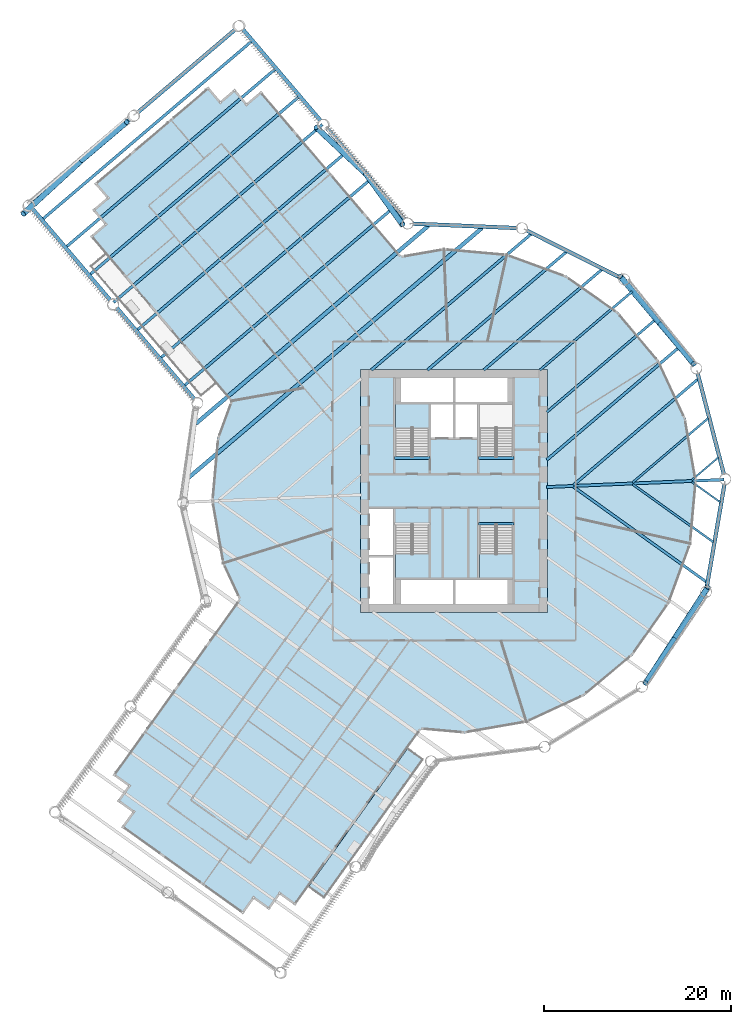
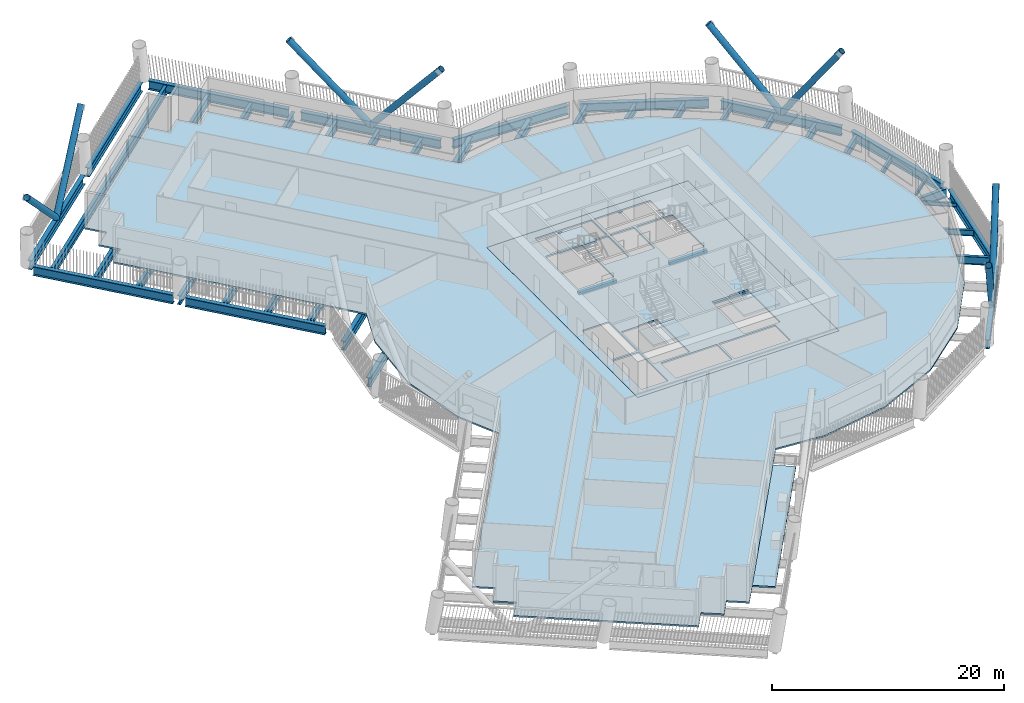
# One storey, part 2 of 21: 37 beams, 8 members, 6 slabs, 3 elements without a shape of their own.
"""IFC4 building model written with IfcOpenShell, lengths in metres."""

from ifc_helpers import new_model, si_unit, direction, frame, origin, origin_2d, place, context, subcontext, project, spatial, polyline, rectangle, hollow_circle, i_section, outline, extrude, material, layer, layer_set, material_profile, profile_set, type_object, element, aggregate, save


model = new_model("IFC4")

# Units and contexts
model_context = context("Model", 3, precision=1e-05, world=origin(), true_north=direction((0.0, 1.0)))
body_context = subcontext(model_context, "Body", "Model", "MODEL_VIEW")
ifc_project = project(units=[si_unit("LENGTHUNIT", "METRE"), si_unit("AREAUNIT", "SQUARE_METRE"), si_unit("VOLUMEUNIT", "CUBIC_METRE"), si_unit("PLANEANGLEUNIT", "RADIAN"), si_unit("MASSUNIT", "GRAM", prefix="KILO")], contexts=[model_context])

# Site, building, storey
site_placement = place(None, origin())
site = spatial("IfcSite", under=ifc_project, at=site_placement, CompositionType="ELEMENT")
building_placement = place(site_placement, origin())
building = spatial("IfcBuilding", under=site, at=building_placement, Name="Tarsis Ring Headquarters", CompositionType="ELEMENT")
storey_placement = place(building_placement, frame((0.0, 0.0, 47.800048828125)))
storey = spatial("IfcBuildingStorey", under=building, at=storey_placement, Name="L09", CompositionType="ELEMENT", Elevation=47.800048828125)

# Beams
ifc_material_1 = material(Name="Structural steel S355", Category="steel")
ifc_material_profile_1 = material_profile(ifc_material_1, i_section(OverallWidth=0.177734375, OverallDepth=0.406494140625, WebThickness=0.0078125, FlangeThickness=0.0126953125, at=origin_2d()), Name="W16x40")
ifc_profile_set_1 = profile_set([ifc_material_profile_1], Name="Structural steel S355")
beam_type_1 = type_object("IfcBeamType", Name="FB Floor beam W16x40", PredefinedType="JOIST", material=ifc_profile_set_1)
for number, where, z_axis, x_axis, name in (
    (1, (25.439697265625, 0.97265625, -0.36328125), (0.81312904071, -0.582083467515, 0.0), (0.582083467515, 0.81312904071, 0.0), "Floor beam FB1"),
    (2, (28.28125, 3.58447265625, -0.36328125), (-0.761531852242, -0.648127485932, 0.0), (0.648127485932, -0.761531852242, 0.0), "Floor beam FB1"),
):
    element("IfcBeam", number, at=place(storey_placement, frame(where, z_axis=z_axis, x_axis=x_axis)), inside=storey, type_object=beam_type_1, Name=name, PredefinedType="JOIST", context=body_context, shape_type="SweptSolid", body=[
        extrude(i_section(OverallWidth=0.177734375, OverallDepth=0.406494140625, WebThickness=0.0078125, FlangeThickness=0.0126953125, at=origin_2d()), origin(), (0.0, 0.0, 1.0), 3.74169921875),
    ])
ifc_material_profile_2 = material_profile(ifc_material_1, i_section(OverallWidth=0.228271484375, OverallDepth=0.607177734375, WebThickness=0.01123046875, FlangeThickness=0.017333984375, at=origin_2d()), Name="W24x76")
ifc_profile_set_2 = profile_set([ifc_material_profile_2], Name="Structural steel S355")
beam_type_2 = type_object("IfcBeamType", Name="FB Floor beam W24x76", PredefinedType="JOIST", material=ifc_profile_set_2)
beam_1_placement = place(storey_placement, frame((19.110595703125, 0.70751953125, -0.463623046875), z_axis=(0.81310398808, -0.582118462659, 0.0), x_axis=(0.582118462659, 0.81310398808, 0.0)))
element("IfcBeam", 3, at=beam_1_placement, inside=storey, type_object=beam_type_2, Name="Floor beam FB4", PredefinedType="JOIST", context=body_context, shape_type="SweptSolid", body=[
    extrude(i_section(OverallWidth=0.228271484375, OverallDepth=0.607177734375, WebThickness=0.01123046875, FlangeThickness=0.017333984375, at=origin_2d()), origin(), (0.0, 0.0, 1.0), 10.621337890625),
])
beam_2_placement = place(storey_placement, frame((27.191162109375, 7.77783203125, -0.463623046875), z_axis=(-0.761536493015, -0.648122033113, 0.0), x_axis=(0.648122033113, -0.761536493015, 0.0)))
element("IfcBeam", 4, at=beam_2_placement, inside=storey, type_object=beam_type_2, Name="Floor beam FB4", PredefinedType="JOIST", context=body_context, shape_type="SweptSolid", body=[
    extrude(i_section(OverallWidth=0.228271484375, OverallDepth=0.607177734375, WebThickness=0.01123046875, FlangeThickness=0.017333984375, at=origin_2d()), origin(), (0.0, 0.0, 1.0), 10.62109375),
])
ifc_material_profile_3 = material_profile(ifc_material_1, i_section(OverallWidth=0.2529296875, OverallDepth=0.67822265625, WebThickness=0.01171875, FlangeThickness=0.016357421875, at=origin_2d()), Name="W27x84")
ifc_profile_set_3 = profile_set([ifc_material_profile_3], Name="Structural steel S355")
beam_type_3 = type_object("IfcBeamType", Name="FB Floor beam W27x84", PredefinedType="JOIST", material=ifc_profile_set_3)
beam_3_placement = place(storey_placement, frame((19.095458984375, 21.372802734375, -0.499267578125), z_axis=(-0.761539389696, -0.648118629528, 0.0), x_axis=(0.648118629528, -0.761539389696, 0.0)))
element("IfcBeam", 5, at=beam_3_placement, inside=storey, type_object=beam_type_3, Name="Floor beam FB5", PredefinedType="JOIST", context=body_context, shape_type="SweptSolid", body=[
    extrude(i_section(OverallWidth=0.2529296875, OverallDepth=0.67822265625, WebThickness=0.01171875, FlangeThickness=0.016357421875, at=origin_2d()), origin(), (0.0, 0.0, 1.0), 13.0185546875),
])
ifc_material_profile_4 = material_profile(ifc_material_1, i_section(OverallWidth=0.2666015625, OverallDepth=0.7568359375, WebThickness=0.013916015625, FlangeThickness=0.019287109375, at=origin_2d()), Name="W30x108")
ifc_profile_set_4 = profile_set([ifc_material_profile_4], Name="Structural steel S355")
beam_type_4 = type_object("IfcBeamType", Name="FB Floor beam W30x108", PredefinedType="JOIST", material=ifc_profile_set_4)
beam_4_placement = place(storey_placement, frame((21.546142578125, 18.337158203125, -0.53857421875), z_axis=(-0.761538549736, -0.64811961648, 0.0), x_axis=(0.64811961648, -0.761538549736, 0.0)))
element("IfcBeam", 6, at=beam_4_placement, inside=storey, type_object=beam_type_4, Name="Floor beam FB6", PredefinedType="JOIST", context=body_context, shape_type="SweptSolid", body=[
    extrude(i_section(OverallWidth=0.2666015625, OverallDepth=0.7568359375, WebThickness=0.013916015625, FlangeThickness=0.019287109375, at=origin_2d()), origin(), (0.0, 0.0, 1.0), 15.26171875),
])
ifc_material_profile_5 = material_profile(ifc_material_1, i_section(OverallWidth=0.2919921875, OverallDepth=0.835693359375, WebThickness=0.013916015625, FlangeThickness=0.018798828125, at=origin_2d()), Name="W33x118")
ifc_profile_set_5 = profile_set([ifc_material_profile_5], Name="Structural steel S355")
beam_type_5 = type_object("IfcBeamType", Name="FB Floor beam W33x118", PredefinedType="JOIST", material=ifc_profile_set_5)
for number, where, z_axis, x_axis, name in (
    (7, (12.781494140625, 0.442138671875, -0.577880859375), (0.813105234606, -0.582116721505, 0.0), (0.582116721505, 0.813105234606, 0.0), "Floor beam FB7"),
    (8, (26.10107421875, 11.971435546875, -0.577880859375), (-0.761537485203, -0.6481208673, 0.0), (0.6481208673, -0.761537485203, 0.0), "Floor beam FB7"),
):
    element("IfcBeam", number, at=place(storey_placement, frame(where, z_axis=z_axis, x_axis=x_axis)), inside=storey, type_object=beam_type_5, Name=name, PredefinedType="JOIST", context=body_context, shape_type="SweptSolid", body=[
        extrude(i_section(OverallWidth=0.2919921875, OverallDepth=0.835693359375, WebThickness=0.013916015625, FlangeThickness=0.018798828125, at=origin_2d()), origin(), (0.0, 0.0, 1.0), 17.500732421875),
    ])
beam_5_placement = place(storey_placement, frame((15.80859375, 23.696533203125, -0.577880859375), z_axis=(-0.761541551454, -0.648116089454, 0.0), x_axis=(0.648116089454, -0.761541551454, 0.0)))
element("IfcBeam", 9, at=beam_5_placement, inside=storey, type_object=beam_type_5, Name="Floor beam FB7", PredefinedType="JOIST", context=body_context, shape_type="SweptSolid", body=[
    extrude(i_section(OverallWidth=0.2919921875, OverallDepth=0.835693359375, WebThickness=0.013916015625, FlangeThickness=0.018798828125, at=origin_2d()), origin(), (0.0, 0.0, 1.0), 16.603759765625),
])
ifc_material_profile_6 = material_profile(ifc_material_1, i_section(OverallWidth=0.3046875, OverallDepth=0.904296875, WebThickness=0.01513671875, FlangeThickness=0.02001953125, at=origin_2d()), Name="W36x135")
ifc_profile_set_6 = profile_set([ifc_material_profile_6], Name="Structural steel S355")
beam_type_6 = type_object("IfcBeamType", Name="FB Floor beam W36x135", PredefinedType="JOIST", material=ifc_profile_set_6)
beam_6_placement = place(storey_placement, frame((23.996826171875, 15.3017578125, -0.612060546875), z_axis=(-0.761538557269, -0.648119607628, 0.0), x_axis=(0.648119607628, -0.761538557269, 0.0)))
element("IfcBeam", 10, at=beam_6_placement, inside=storey, type_object=beam_type_6, Name="Floor beam FB8", PredefinedType="JOIST", context=body_context, shape_type="SweptSolid", body=[
    extrude(i_section(OverallWidth=0.3046875, OverallDepth=0.904296875, WebThickness=0.01513671875, FlangeThickness=0.02001953125, at=origin_2d()), origin(), (0.0, 0.0, 1.0), 18.479736328125),
])
beam_7_placement = place(storey_placement, frame((12.029052734375, 25.60107421875, -0.612060546875), z_axis=(-0.761545555681, -0.648111384426, 0.0), x_axis=(0.648111384426, -0.761545555681, 0.0)))
element("IfcBeam", 11, at=beam_7_placement, inside=storey, type_object=beam_type_6, Name="Floor beam FB8", PredefinedType="JOIST", context=body_context, shape_type="SweptSolid", body=[
    extrude(i_section(OverallWidth=0.3046875, OverallDepth=0.904296875, WebThickness=0.01513671875, FlangeThickness=0.02001953125, at=origin_2d()), origin(), (0.0, 0.0, 1.0), 19.54248046875),
])
ifc_material_profile_7 = material_profile(ifc_material_1, i_section(OverallWidth=0.3046875, OverallDepth=0.91943359375, WebThickness=0.017333984375, FlangeThickness=0.02783203125, at=origin_2d()), Name="W36x170")
ifc_profile_set_7 = profile_set([ifc_material_profile_7], Name="Structural steel S355")
beam_type_7 = type_object("IfcBeamType", Name="FB Floor beam W36x170", PredefinedType="JOIST", material=ifc_profile_set_7)
beam_8_placement = place(storey_placement, frame((8.24951171875, 27.505615234375, -0.619873046875), z_axis=(-0.761543951423, -0.648113269461, 0.0), x_axis=(0.648113269461, -0.761543951423, 0.0)))
element("IfcBeam", 12, at=beam_8_placement, inside=storey, type_object=beam_type_7, Name="Floor beam FB9", PredefinedType="JOIST", context=body_context, shape_type="SweptSolid", body=[
    extrude(i_section(OverallWidth=0.3046875, OverallDepth=0.91943359375, WebThickness=0.017333984375, FlangeThickness=0.02783203125, at=origin_2d()), origin(), (0.0, 0.0, 1.0), 22.481201171875),
])
ifc_material_profile_8 = material_profile(ifc_material_1, i_section(OverallWidth=0.309814453125, OverallDepth=0.949951171875, WebThickness=0.0244140625, FlangeThickness=0.0439453125, at=origin_2d()), Name="W36x256")
ifc_profile_set_8 = profile_set([ifc_material_profile_8], Name="Structural steel S355")
beam_type_8 = type_object("IfcBeamType", Name="FB Floor beam W36x256", PredefinedType="JOIST", material=ifc_profile_set_8)
for number, where, z_axis, x_axis, name in (
    (13, (-6.50830078125, 30.3095703125, -0.635009765625), (-0.761538691481, -0.648119449929, 0.0), (0.648119449929, -0.761538691481, 0.0), "Floor beam FB11"),
    (14, (-9.035888671875, 33.279541015625, -0.635009765625), (-0.761538691481, -0.648119449929, 0.0), (0.648119449929, -0.761538691481, 0.0), "Floor beam FB11"),
    (15, (-11.563720703125, 36.24951171875, -0.635009765625), (-0.761535200369, -0.648123551955, 0.0), (0.648123551955, -0.761535200369, 0.0), "Floor beam FB11"),
    (16, (-14.09130859375, 39.219482421875, -0.635009765625), (-0.761538691481, -0.648119449929, 0.0), (0.648119449929, -0.761538691481, 0.0), "Floor beam FB11"),
    (17, (-16.618896484375, 42.189453125, -0.635009765625), (-0.761538691481, -0.648119449929, 0.0), (0.648119449929, -0.761538691481, 0.0), "Floor beam FB11"),
    (18, (-19.146728515625, 45.159423828125, -0.635009765625), (-0.761535200369, -0.648123551955, 0.0), (0.648123551955, -0.761535200369, 0.0), "Floor beam FB11"),
    (19, (-21.67431640625, 48.12939453125, -0.635009765625), (-0.761542793497, -0.648114630041, 0.0), (0.648114630041, -0.761542793497, 0.0), "Floor beam FB11"),
):
    element("IfcBeam", number, at=place(storey_placement, frame(where, z_axis=z_axis, x_axis=x_axis)), inside=storey, type_object=beam_type_8, Name=name, PredefinedType="JOIST", context=body_context, shape_type="SweptSolid", body=[
        extrude(i_section(OverallWidth=0.309814453125, OverallDepth=0.949951171875, WebThickness=0.0244140625, FlangeThickness=0.0439453125, at=origin_2d()), origin(), (0.0, 0.0, 1.0), 29.375732421875),
    ])
beam_type_9 = type_object("IfcBeamType", Name="FB Floor beam W36x256 spine", PredefinedType="BEAM", material=ifc_profile_set_8)
beam_9_placement = place(storey_placement, frame((28.90625, 1.21142578125, -0.635009765625), z_axis=(-0.999123281002, -0.041864894124, 0.0), x_axis=(0.041864894124, -0.999123281002, 0.0)))
element("IfcBeam", 20, at=beam_9_placement, inside=storey, type_object=beam_type_9, Name="Floor beam SB11", PredefinedType="BEAM", context=body_context, shape_type="SweptSolid", body=[
    extrude(i_section(OverallWidth=0.309814453125, OverallDepth=0.949951171875, WebThickness=0.0244140625, FlangeThickness=0.0439453125, at=origin_2d()), origin(), (0.0, 0.0, 1.0), 19.022705078125),
])
ifc_material_profile_9 = material_profile(ifc_material_1, i_section(OverallWidth=0.42431640625, OverallDepth=0.947509765625, WebThickness=0.02392578125, FlangeThickness=0.042724609375, at=origin_2d()), Name="W36x302")
ifc_profile_set_9 = profile_set([ifc_material_profile_9], Name="Structural steel S355")
beam_type_10 = type_object("IfcBeamType", Name="FB Floor beam W36x302", PredefinedType="JOIST", material=ifc_profile_set_9)
beam_10_placement = place(storey_placement, frame((2.989990234375, 28.15087890625, -0.6337890625), z_axis=(-0.761535669756, -0.648123000433, 0.0), x_axis=(0.648123000433, -0.761535669756, 0.0)))
element("IfcBeam", 21, at=beam_10_placement, inside=storey, type_object=beam_type_10, Name="Floor beam FB12", PredefinedType="JOIST", context=body_context, shape_type="SweptSolid", body=[
    extrude(i_section(OverallWidth=0.42431640625, OverallDepth=0.947509765625, WebThickness=0.02392578125, FlangeThickness=0.042724609375, at=origin_2d()), origin(), (0.0, 0.0, 1.0), 41.352783203125),
])
beam_11_placement = place(storey_placement, frame((-2.74462890625, 28.391357421875, -0.6337890625), z_axis=(-0.761540408805, -0.648117432073, 0.0), x_axis=(0.648117432073, -0.761540408805, 0.0)))
element("IfcBeam", 22, at=beam_11_placement, inside=storey, type_object=beam_type_10, Name="Floor beam FB12", PredefinedType="JOIST", context=body_context, shape_type="SweptSolid", body=[
    extrude(i_section(OverallWidth=0.42431640625, OverallDepth=0.947509765625, WebThickness=0.02392578125, FlangeThickness=0.042724609375, at=origin_2d()), origin(), (0.0, 0.0, 1.0), 32.704833984375),
])
ifc_material_2 = material(Name="Concrete C40/50", Category="concrete")
ifc_material_profile_10 = material_profile(ifc_material_2, rectangle(XDim=0.300048828125, YDim=0.300048828125, at=origin_2d()), Name="Stair head beam 300x300 C40/50")
ifc_profile_set_10 = profile_set([ifc_material_profile_10], Name="Concrete C40/50")
beam_type_11 = type_object("IfcBeamType", Name="Stair head beam 300x300 C40/50", PredefinedType="BEAM", material=ifc_profile_set_10)
for number, where, z_axis, x_axis, name in (
    (23, (-6.39990234375, 3.510009765625, -0.31005859375), (1.0, 0.0, 0.0), (0.0, 1.0, 0.0), "Stair head beam L09 Firefighting stair"),
    (24, (2.60009765625, 3.510009765625, -0.31005859375), (1.0, 0.0, 0.0), (0.0, 1.0, 0.0), "Stair head beam L09 Exit stair B"),
    (25, (2.60009765625, -3.510009765625, -0.31005859375), (1.0, 0.0, 0.0), (0.0, 1.0, 0.0), "Stair head beam L09 Exit stair D"),
):
    element("IfcBeam", number, at=place(storey_placement, frame(where, z_axis=z_axis, x_axis=x_axis)), inside=storey, type_object=beam_type_11, Name=name, PredefinedType="BEAM", context=body_context, shape_type="SweptSolid", body=[
        extrude(rectangle(XDim=0.300048828125, YDim=0.300048828125, at=origin_2d()), origin(), (0.0, 0.0, 1.0), 3.7998046875),
    ])

# Members
ifc_material_profile_11 = material_profile(ifc_material_1, hollow_circle(Radius=0.3046875, WallThickness=0.02490234375, at=origin_2d()), Name="CHS 610x25")
ifc_profile_set_11 = profile_set([ifc_material_profile_11], Name="Structural steel S355")
member_type = type_object("IfcMemberType", Name="XD X brace CHS 610x25", PredefinedType="BRACE", material=ifc_profile_set_11)
member_1_placement = place(storey_placement, frame((23.509521484375, -15.92529296875, 0.0), z_axis=(0.355127399997, 0.547572064503, 0.757660454258), x_axis=(-0.838999395789, 0.544132349586, 0.0)))
element("IfcMember", 26, at=member_1_placement, inside=storey, type_object=member_type, Name="X brace XD1", PredefinedType="BRACE", context=body_context, shape_type="SweptSolid", body=[
    extrude(hollow_circle(Radius=0.3046875, WallThickness=0.02490234375, at=origin_2d()), origin(), (0.0, 0.0, 1.0), 10.294921875),
])
member_2_placement = place(storey_placement, frame((23.509521484375, -15.92529296875, 0.0), z_axis=(-0.313713594643, -0.485865397922, 0.815793230934), x_axis=(0.840098060053, -0.5424345578, 0.0)))
element("IfcMember", 27, at=member_2_placement, inside=storey, type_object=member_type, Name="X brace XD1", PredefinedType="BRACE", context=body_context, shape_type="SweptSolid", body=[
    extrude(hollow_circle(Radius=0.3046875, WallThickness=0.02490234375, at=origin_2d()), origin(), (0.0, 0.0, 1.0), 9.561279296875),
])
member_3_placement = place(storey_placement, frame((22.094482421875, 17.836669921875, 0.0), z_axis=(-0.420053039724, 0.499519970007, 0.757651135671), x_axis=(-0.765360458799, -0.643601870808, 0.0)))
element("IfcMember", 28, at=member_3_placement, inside=storey, type_object=member_type, Name="X brace XD1", PredefinedType="BRACE", context=body_context, shape_type="SweptSolid", body=[
    extrude(hollow_circle(Radius=0.3046875, WallThickness=0.02490234375, at=origin_2d()), origin(), (0.0, 0.0, 1.0), 10.294921875),
])
member_4_placement = place(storey_placement, frame((22.094482421875, 17.836669921875, 0.0), z_axis=(0.373132703446, -0.44187103491, 0.815795301609), x_axis=(0.764032334026, 0.645177954182, 0.0)))
element("IfcMember", 29, at=member_4_placement, inside=storey, type_object=member_type, Name="X brace XD1", PredefinedType="BRACE", context=body_context, shape_type="SweptSolid", body=[
    extrude(hollow_circle(Radius=0.3046875, WallThickness=0.02490234375, at=origin_2d()), origin(), (0.0, 0.0, 1.0), 9.561279296875),
])
member_5_placement = place(storey_placement, frame((-9.4345703125, 33.920654296875, 0.0), z_axis=(-0.498328352708, 0.467428520895, 0.730191365836), x_axis=(-0.684132490298, -0.729357755645, 0.0)))
element("IfcMember", 30, at=member_5_placement, inside=storey, type_object=member_type, Name="X brace XD1", PredefinedType="BRACE", context=body_context, shape_type="SweptSolid", body=[
    extrude(hollow_circle(Radius=0.3046875, WallThickness=0.02490234375, at=origin_2d()), origin(), (0.0, 0.0, 1.0), 10.68212890625),
])
member_6_placement = place(storey_placement, frame((-9.4345703125, 33.920654296875, 0.0), z_axis=(0.380726046494, -0.526525897319, 0.760143510775), x_axis=(0.810345008266, 0.585953042127, 0.0)))
element("IfcMember", 31, at=member_6_placement, inside=storey, type_object=member_type, Name="X brace XD1", PredefinedType="BRACE", context=body_context, shape_type="SweptSolid", body=[
    extrude(hollow_circle(Radius=0.3046875, WallThickness=0.02490234375, at=origin_2d()), origin(), (0.0, 0.0, 1.0), 10.26123046875),
])
member_7_placement = place(storey_placement, frame((-39.856201171875, 35.4130859375, 0.0), z_axis=(-0.54290312778, -0.498612994167, 0.675752377647), x_axis=(0.676425965303, -0.736510633639, 0.0)))
element("IfcMember", 32, at=member_7_placement, inside=storey, type_object=member_type, Name="X brace XD1", PredefinedType="BRACE", context=body_context, shape_type="SweptSolid", body=[
    extrude(hollow_circle(Radius=0.3046875, WallThickness=0.02490234375, at=origin_2d()), origin(), (0.0, 0.0, 1.0), 11.542724609375),
])
member_8_placement = place(storey_placement, frame((-39.856201171875, 35.4130859375, 0.0), z_axis=(0.478983238333, 0.406127315537, 0.778225970378), x_axis=(-0.646715667384, 0.76273117516, 0.0)))
element("IfcMember", 33, at=member_8_placement, inside=storey, type_object=member_type, Name="X brace XD1", PredefinedType="BRACE", context=body_context, shape_type="SweptSolid", body=[
    extrude(hollow_circle(Radius=0.3046875, WallThickness=0.02490234375, at=origin_2d()), origin(), (0.0, 0.0, 1.0), 10.02294921875),
])

# Beams
beam_type_12 = type_object("IfcBeamType", Name="XG Ring girder W36x302", PredefinedType="BEAM", material=ifc_profile_set_9)
for number, where, z_axis, x_axis, name in (
    (34, (20.38232421875, -20.541748046875, -0.4736328125), (0.560833622606, 0.827928528168, 0.0), (-0.827928528168, 0.560833622606, 0.0), "Ring girder XG1"),
    (35, (27.037353515625, -10.31396484375, -0.4736328125), (0.169714830944, 0.985493214669, 0.0), (-0.985493214669, 0.169714830944, 0.0), "Ring girder XG1"),
    (36, (28.885009765625, 1.747314453125, -0.4736328125), (-0.251591198028, 0.967833595756, 0.0), (-0.967833595756, -0.251591198028, 0.0), "Ring girder XG1"),
):
    element("IfcBeam", number, at=place(storey_placement, frame(where, z_axis=z_axis, x_axis=x_axis)), inside=storey, type_object=beam_type_12, Name=name, PredefinedType="BEAM", context=body_context, shape_type="SweptSolid", body=[
        extrude(i_section(OverallWidth=0.42431640625, OverallDepth=0.947509765625, WebThickness=0.02392578125, FlangeThickness=0.042724609375, at=origin_2d()), origin(), (0.0, 0.0, 1.0), 11.151611328125),
    ])
for number, where, z_axis, x_axis, name in (
    (37, (25.5966796875, 13.498291015625, -0.4736328125), (-0.628146495192, 0.778095097387, 0.0), (-0.778095097387, -0.628146495192, 0.0), "Ring girder XG1"),
    (38, (17.75732421875, 22.848876953125, -0.4736328125), (-0.89302163934, 0.450013723869, 0.0), (-0.450013723869, -0.89302163934, 0.0), "Ring girder XG1"),
    (39, (6.760498046875, 28.136962890625, -0.4736328125), (-0.999121652756, 0.041903734845, 0.0), (-0.041903734845, -0.999121652756, 0.0), "Ring girder XG1"),
):
    element("IfcBeam", number, at=place(storey_placement, frame(where, z_axis=z_axis, x_axis=x_axis)), inside=storey, type_object=beam_type_12, Name=name, PredefinedType="BEAM", context=body_context, shape_type="SweptSolid", body=[
        extrude(i_section(OverallWidth=0.42431640625, OverallDepth=0.947509765625, WebThickness=0.02392578125, FlangeThickness=0.042724609375, at=origin_2d()), origin(), (0.0, 0.0, 1.0), 11.1513671875),
    ])
beam_12_placement = place(storey_placement, frame((-5.284912109375, 29.044921875, -0.4736328125), z_axis=(-0.648116512174, 0.761541191694, 0.0), x_axis=(-0.761541191694, -0.648116512174, 0.0)))
element("IfcBeam", 40, at=beam_12_placement, inside=storey, type_object=beam_type_12, Name="Ring girder XG1", PredefinedType="BEAM", context=body_context, shape_type="SweptSolid", body=[
    extrude(i_section(OverallWidth=0.42431640625, OverallDepth=0.947509765625, WebThickness=0.02392578125, FlangeThickness=0.042724609375, at=origin_2d()), origin(), (0.0, 0.0, 1.0), 12.804931640625),
])
beam_13_placement = place(storey_placement, frame((-14.295166015625, 39.632080078125, -0.4736328125), z_axis=(-0.648127569302, 0.761531781287, 0.0), x_axis=(-0.761531781287, -0.648127569302, 0.0)))
element("IfcBeam", 41, at=beam_13_placement, inside=storey, type_object=beam_type_12, Name="Ring girder XG1", PredefinedType="BEAM", context=body_context, shape_type="SweptSolid", body=[
    extrude(i_section(OverallWidth=0.42431640625, OverallDepth=0.947509765625, WebThickness=0.02392578125, FlangeThickness=0.042724609375, at=origin_2d()), origin(), (0.0, 0.0, 1.0), 12.80517578125),
])
for number, where, z_axis, x_axis, name in (
    (42, (-23.36767578125, 49.44580078125, -0.4736328125), (-0.761539576797, -0.648118409684, 0.0), (0.648118409684, -0.761539576797, 0.0), "Ring girder XG1"),
    (43, (-34.638427734375, 39.853759765625, -0.4736328125), (-0.761539576797, -0.648118409684, 0.0), (0.648118409684, -0.761539576797, 0.0), "Ring girder XG1"),
):
    element("IfcBeam", number, at=place(storey_placement, frame(where, z_axis=z_axis, x_axis=x_axis)), inside=storey, type_object=beam_type_12, Name=name, PredefinedType="BEAM", context=body_context, shape_type="SweptSolid", body=[
        extrude(i_section(OverallWidth=0.42431640625, OverallDepth=0.947509765625, WebThickness=0.02392578125, FlangeThickness=0.042724609375, at=origin_2d()), origin(), (0.0, 0.0, 1.0), 13.702880859375),
    ])
beam_14_placement = place(storey_placement, frame((-45.135986328125, 30.19921875, -0.4736328125), z_axis=(0.648127569302, -0.761531781287, 0.0), x_axis=(0.761531781287, 0.648127569302, 0.0)))
element("IfcBeam", 44, at=beam_14_placement, inside=storey, type_object=beam_type_12, Name="Ring girder XG1", PredefinedType="BEAM", context=body_context, shape_type="SweptSolid", body=[
    extrude(i_section(OverallWidth=0.42431640625, OverallDepth=0.947509765625, WebThickness=0.02392578125, FlangeThickness=0.042724609375, at=origin_2d()), origin(), (0.0, 0.0, 1.0), 12.80517578125),
])
beam_15_placement = place(storey_placement, frame((-36.12548828125, 19.612060546875, -0.4736328125), z_axis=(0.648116512174, -0.761541191694, 0.0), x_axis=(0.761541191694, 0.648116512174, 0.0)))
element("IfcBeam", 45, at=beam_15_placement, inside=storey, type_object=beam_type_12, Name="Ring girder XG1", PredefinedType="BEAM", context=body_context, shape_type="SweptSolid", body=[
    extrude(i_section(OverallWidth=0.42431640625, OverallDepth=0.947509765625, WebThickness=0.02392578125, FlangeThickness=0.042724609375, at=origin_2d()), origin(), (0.0, 0.0, 1.0), 12.804931640625),
])

# Slabs
ifc_layer_1 = layer(ifc_material_2, 0.159912109375)
ifc_layer_set_1 = layer_set([ifc_layer_1], Name="Balcony slab concrete C40/50")
slab_type_1 = type_object("IfcSlabType", Name="Balcony slab concrete C40/50", PredefinedType="FLOOR", material=ifc_layer_set_1)
slab_1_placement = place(storey_placement, frame((0.0, 0.0, -0.16015625)))
element("IfcSlab", 46, at=slab_1_placement, inside=storey, type_object=slab_type_1, Name="Balcony slab L09-16", PredefinedType="FLOOR", context=body_context, shape_type="SweptSolid", body=[
    extrude(outline(polyline([(-15.565185546875, -42.35546875), (-13.93896484375, -43.51953125), (-3.37255859375, -28.7607421875), (-4.998779296875, -27.596435546875), (-15.565185546875, -42.35546875)])), origin(), (0.0, 0.0, 1.0), 0.16015625),
])
ifc_layer_2 = layer(ifc_material_2, 0.159912109375)
ifc_layer_set_2 = layer_set([ifc_layer_2], Name="Core floor slab 160 C40/50")
slab_type_2 = type_object("IfcSlabType", Name="Core floor slab 160 C40/50", PredefinedType="FLOOR", material=ifc_layer_set_2)
slab_2_placement = place(storey_placement, frame((0.0, 0.0, -0.16015625)))
element("IfcSlab", 47, at=slab_2_placement, inside=storey, type_object=slab_type_2, Name="L09 core floor slab", PredefinedType="FLOOR", context=body_context, shape_type="SweptSolid", body=[
    extrude(outline(polyline([(-10.0, -13.0), (10.0, -13.0), (10.0, 13.0), (-10.0, 13.0), (-10.0, -13.0)]), holes=[polyline([(-2.5, 5.699951171875), (-0.10009765625, 5.699951171875), (-0.10009765625, 9.300048828125), (-2.5, 9.300048828125), (-2.5, 5.699951171875)]), polyline([(0.10009765625, 5.699951171875), (2.5, 5.699951171875), (2.5, 9.300048828125), (0.10009765625, 9.300048828125), (0.10009765625, 5.699951171875)]), polyline([(-9.10009765625, -12.10009765625), (-6.5, -12.10009765625), (-6.5, -7.10009765625), (-9.10009765625, -7.10009765625), (-9.10009765625, -12.10009765625)]), polyline([(-9.10009765625, -6.89990234375), (-6.5, -6.89990234375), (-6.5, -1.89990234375), (-9.10009765625, -1.89990234375), (-9.10009765625, -6.89990234375)]), polyline([(-5.699951171875, 9.5), (-0.10009765625, 9.5), (-0.10009765625, 12.10009765625), (-5.699951171875, 12.10009765625), (-5.699951171875, 9.5)]), polyline([(0.10009765625, 9.5), (5.699951171875, 9.5), (5.699951171875, 12.10009765625), (0.10009765625, 12.10009765625), (0.10009765625, 9.5)]), polyline([(-5.699951171875, -12.10009765625), (-0.10009765625, -12.10009765625), (-0.10009765625, -9.5), (-5.699951171875, -9.5), (-5.699951171875, -12.10009765625)]), polyline([(0.10009765625, -12.10009765625), (5.699951171875, -12.10009765625), (5.699951171875, -9.5), (0.10009765625, -9.5), (0.10009765625, -12.10009765625)]), polyline([(-2.699951171875, 3.760009765625), (-2.699951171875, 9.300048828125), (-6.300048828125, 9.300048828125), (-6.300048828125, 3.659912109375), (-4.4599609375, 3.659912109375), (-4.4599609375, 3.760009765625), (-2.699951171875, 3.760009765625)]), polyline([(6.300048828125, 3.760009765625), (6.300048828125, 9.300048828125), (2.699951171875, 9.300048828125), (2.699951171875, 3.659912109375), (4.5400390625, 3.659912109375), (4.5400390625, 3.760009765625), (6.300048828125, 3.760009765625)]), polyline([(-6.300048828125, -3.760009765625), (-6.300048828125, -9.300048828125), (-2.699951171875, -9.300048828125), (-2.699951171875, -3.659912109375), (-4.5400390625, -3.659912109375), (-4.5400390625, -3.760009765625), (-6.300048828125, -3.760009765625)]), polyline([(2.699951171875, -3.760009765625), (2.699951171875, -9.300048828125), (6.300048828125, -9.300048828125), (6.300048828125, -3.659912109375), (4.4599609375, -3.659912109375), (4.4599609375, -3.760009765625), (2.699951171875, -3.760009765625)])]), origin(), (0.0, 0.0, 1.0), 0.16015625),
])

# Stair, slab
ifc_material_3 = material(Name="Core stair 1760")
stair_type = type_object("IfcStairType", Name="Core stair 1760", PredefinedType="HALF_TURN_STAIR", material=ifc_material_3)
stair_1_placement = place(storey_placement, origin())
stair_1 = element("IfcStair", 48, at=stair_1_placement, inside=storey, type_object=stair_type, Name="L09 Firefighting stair", PredefinedType="HALF_TURN_STAIR")
ifc_layer_3 = layer(ifc_material_2, 0.199951171875)
ifc_layer_set_3 = layer_set([ifc_layer_3], Name="Core stair landing 200")
slab_type_3 = type_object("IfcSlabType", Name="Core stair landing 200", PredefinedType="LANDING", material=ifc_layer_set_3)
slab_3_placement = place(storey_placement, frame((0.0, 0.0, 1.75)))
slab_3 = element("IfcSlab", 49, at=slab_3_placement, type_object=slab_type_3, Name="Stair ST1 landing 1", PredefinedType="LANDING", context=body_context, shape_type="SweptSolid", body=[
    extrude(outline(polyline([(-2.699951171875, 6.739990234375), (-2.699951171875, 9.300048828125), (-6.300048828125, 9.300048828125), (-6.300048828125, 6.739990234375), (-2.699951171875, 6.739990234375)])), origin(), (0.0, 0.0, 1.0), 0.199951171875),
])
aggregate(stair_1, [slab_3])

stair_2_placement = place(storey_placement, origin())
stair_2 = element("IfcStair", 50, at=stair_2_placement, inside=storey, type_object=stair_type, Name="L09 Exit stair C", PredefinedType="HALF_TURN_STAIR")
slab_4_placement = place(storey_placement, frame((0.0, 0.0, 1.75)))
slab_4 = element("IfcSlab", 51, at=slab_4_placement, type_object=slab_type_3, Name="Stair ST3 landing 1", PredefinedType="LANDING", context=body_context, shape_type="SweptSolid", body=[
    extrude(outline(polyline([(-6.300048828125, -6.739990234375), (-6.300048828125, -9.300048828125), (-2.699951171875, -9.300048828125), (-2.699951171875, -6.739990234375), (-6.300048828125, -6.739990234375)])), origin(), (0.0, 0.0, 1.0), 0.199951171875),
])
aggregate(stair_2, [slab_4])

stair_3_placement = place(storey_placement, origin())
stair_3 = element("IfcStair", 52, at=stair_3_placement, inside=storey, type_object=stair_type, Name="L09 Exit stair D", PredefinedType="HALF_TURN_STAIR")
slab_5_placement = place(storey_placement, frame((0.0, 0.0, 1.75)))
slab_5 = element("IfcSlab", 53, at=slab_5_placement, type_object=slab_type_3, Name="Stair ST4 landing 1", PredefinedType="LANDING", context=body_context, shape_type="SweptSolid", body=[
    extrude(outline(polyline([(2.699951171875, -6.739990234375), (2.699951171875, -9.300048828125), (6.300048828125, -9.300048828125), (6.300048828125, -6.739990234375), (2.699951171875, -6.739990234375)])), origin(), (0.0, 0.0, 1.0), 0.199951171875),
])
aggregate(stair_3, [slab_5])

# Slab
ifc_material_4 = material(Name="Concrete C35/45", Category="concrete")
ifc_layer_4 = layer(ifc_material_4, 0.159912109375)
ifc_layer_set_4 = layer_set([ifc_layer_4], Name="FS Composite floor slab 160")
slab_type_4 = type_object("IfcSlabType", Name="FS Composite floor slab 160", PredefinedType="FLOOR", material=ifc_layer_set_4)
slab_6_placement = place(storey_placement, frame((0.0, 0.0, -0.16015625)))
element("IfcSlab", 54, at=slab_6_placement, inside=storey, type_object=slab_type_4, Name="Floor slab L09", PredefinedType="FLOOR", context=body_context, shape_type="SweptSolid", body=[
    extrude(outline(polyline([(-23.933837890625, 9.60693359375), (-25.373779296875, 5.671630859375), (-25.977294921875, -1.0888671875), (-24.810302734375, -7.775146484375), (-23.0458984375, -11.575927734375), (-36.534912109375, -30.417236328125), (-34.90869140625, -31.581298828125), (-36.072998046875, -33.20751953125), (-34.44677734375, -34.371826171875), (-35.61083984375, -35.998046875), (-22.601318359375, -45.31201171875), (-21.43701171875, -43.685791015625), (-19.810791015625, -44.85009765625), (-18.646728515625, -43.223876953125), (-17.0205078125, -44.38818359375), (-3.54345703125, -25.563720703125), (1.0888671875, -25.977294921875), (7.775146484375, -24.810302734375), (13.931396484375, -21.95263671875), (19.138427734375, -17.598876953125), (23.041259765625, -12.045654296875), (25.373779296875, -5.671630859375), (25.977294921875, 1.0888671875), (24.810302734375, 7.775146484375), (21.95263671875, 13.931396484375), (17.598876953125, 19.138427734375), (12.045654296875, 23.041259765625), (5.671630859375, 25.373779296875), (-1.0888671875, 25.977294921875), (-5.670166015625, 25.177490234375), (-20.675048828125, 42.80810546875), (-22.1982421875, 41.511962890625), (-23.494384765625, 43.03515625), (-25.017333984375, 41.73876953125), (-26.313720703125, 43.261962890625), (-38.498291015625, 32.891845703125), (-37.2021484375, 31.368896484375), (-38.72509765625, 30.07275390625), (-37.428955078125, 28.549560546875), (-38.951904296875, 27.25341796875), (-23.933837890625, 9.60693359375)]), holes=[polyline([(-10.0, -13.0), (-10.0, 13.0), (10.0, 13.0), (10.0, -13.0), (-10.0, -13.0)])]), origin(), (0.0, 0.0, 1.0), 0.16015625),
])

save(model, "model.ifc")
